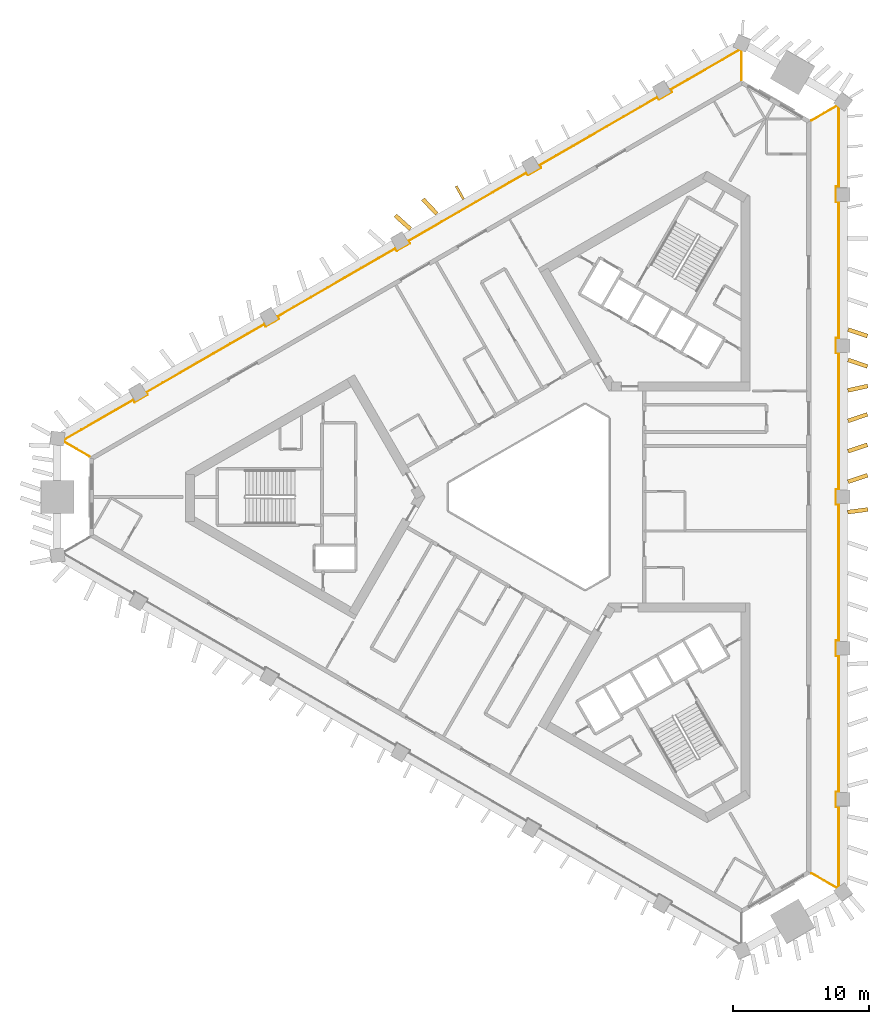
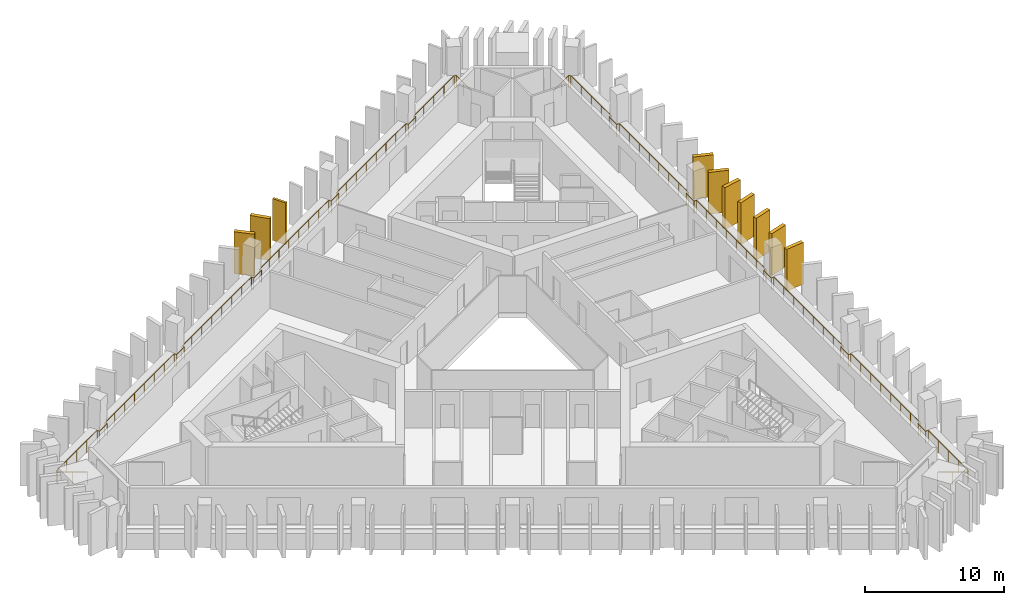
# One storey, part 10 of 11: 10 shading devices, 2 railings.
"""IFC4 building model written with IfcOpenShell, lengths in metres."""

from ifc_helpers import new_model, si_unit, direction, frame, frame_2d, origin, origin_2d, place, context, subcontext, project, spatial, rectangle, circle, extrude, material, layer, layer_set, type_object, element, save


model = new_model("IFC4")

# Units and contexts
model_context = context("Model", 3, precision=1e-05, world=origin(), true_north=direction((0.0, 1.0)))
body_context = subcontext(model_context, "Body", "Model", "MODEL_VIEW")
ifc_project = project(units=[si_unit("LENGTHUNIT", "METRE"), si_unit("AREAUNIT", "SQUARE_METRE"), si_unit("VOLUMEUNIT", "CUBIC_METRE"), si_unit("PLANEANGLEUNIT", "RADIAN"), si_unit("MASSUNIT", "GRAM", prefix="KILO")], contexts=[model_context])

# Site, building, storey
site_placement = place(None, origin())
site = spatial("IfcSite", under=ifc_project, at=site_placement, CompositionType="ELEMENT")
building_placement = place(site_placement, origin())
building = spatial("IfcBuilding", under=site, at=building_placement, Name="Jabali Bay Hotel Tower and Convention Centre", CompositionType="ELEMENT")
storey_placement = place(building_placement, frame((0.0, 0.0, 143.800048828125)))
storey = spatial("IfcBuildingStorey", under=building, at=storey_placement, Name="L35", CompositionType="ELEMENT", Elevation=143.800048828125)

# Railings
ifc_material_1 = material(Name="Glass", Category="glass")
railing_type = type_object("IfcRailingType", Name="Loggia glass guard 1100", PredefinedType="BALUSTRADE", material=ifc_material_1)
railing_1_placement = place(storey_placement, frame((94.402587890625, 107.66748046875, 0.0)))
element("IfcRailing", 1, at=railing_1_placement, inside=storey, type_object=railing_type, Name="Loggia glass guard L35", PredefinedType="BALUSTRADE", context=body_context, shape_type="SweptSolid", body=[
    extrude(circle(Radius=0.02490234375, at=origin_2d()), frame((0.0, 0.0, 1.0751953125), z_axis=(0.866007213464, 0.500031505235, 0.0), x_axis=(-0.495753666391, 0.858598401702, 0.13052619222)), (0.0, 0.0, 1.0), 2.165283203125),
    extrude(circle(Radius=0.02490234375, at=origin_2d()), frame((1.875244140625, 1.082763671875, 1.0751953125), z_axis=(0.800939455023, -0.598745346025, 0.0), x_axis=(0.593622996588, 0.794087306954, 0.13052619222)), (0.0, 0.0, 1.0), 0.15576171875),
    extrude(circle(Radius=0.02490234375, at=origin_2d()), frame((2.0, 0.989501953125, 1.0751953125), z_axis=(0.0, -1.0, 0.0), x_axis=(0.991444861374, 0.0, 0.13052619222)), (0.0, 0.0, 1.0), 5.854248046875),
    extrude(circle(Radius=0.02490234375, at=origin_2d()), frame((2.0, -4.86474609375, 1.0751953125), z_axis=(-1.0, 0.0, 0.0), x_axis=(0.0, -0.991444861374, 0.13052619222)), (0.0, 0.0, 1.0), 0.2001953125),
    extrude(circle(Radius=0.02490234375, at=origin_2d()), frame((1.7998046875, -4.86474609375, 1.0751953125), z_axis=(0.0, -1.0, 0.0), x_axis=(0.991444861374, 0.0, 0.13052619222)), (0.0, 0.0, 1.0), 1.099853515625),
    extrude(circle(Radius=0.02490234375, at=origin_2d()), frame((1.7998046875, -5.964599609375, 1.0751953125), z_axis=(1.0, 0.0, 0.0), x_axis=(0.0, 0.991444861374, 0.13052619222)), (0.0, 0.0, 1.0), 0.2001953125),
    extrude(circle(Radius=0.02490234375, at=origin_2d()), frame((2.0, -5.964599609375, 1.0751953125), z_axis=(0.0, -1.0, 0.0), x_axis=(0.991444861374, 0.0, 0.13052619222)), (0.0, 0.0, 1.0), 10.0263671875),
    extrude(circle(Radius=0.02490234375, at=origin_2d()), frame((2.0, -15.990966796875, 1.0751953125), z_axis=(-1.0, 0.0, 0.0), x_axis=(0.0, -0.991444861374, 0.13052619222)), (0.0, 0.0, 1.0), 0.2001953125),
    extrude(circle(Radius=0.02490234375, at=origin_2d()), frame((1.7998046875, -15.990966796875, 1.0751953125), z_axis=(0.0, -1.0, 0.0), x_axis=(0.991444861374, 0.0, 0.13052619222)), (0.0, 0.0, 1.0), 1.10009765625),
    extrude(circle(Radius=0.02490234375, at=origin_2d()), frame((1.7998046875, -17.091064453125, 1.0751953125), z_axis=(1.0, 0.0, 0.0), x_axis=(0.0, 0.991444861374, 0.13052619222)), (0.0, 0.0, 1.0), 0.2001953125),
    extrude(circle(Radius=0.02490234375, at=origin_2d()), frame((2.0, -17.091064453125, 1.0751953125), z_axis=(0.0, -1.0, 0.0), x_axis=(0.991444861374, 0.0, 0.13052619222)), (0.0, 0.0, 1.0), 10.0263671875),
    extrude(circle(Radius=0.02490234375, at=origin_2d()), frame((2.0, -27.117431640625, 1.0751953125), z_axis=(-1.0, 0.0, 0.0), x_axis=(0.0, -0.991444861374, 0.13052619222)), (0.0, 0.0, 1.0), 0.2001953125),
    extrude(circle(Radius=0.02490234375, at=origin_2d()), frame((1.7998046875, -27.117431640625, 1.0751953125), z_axis=(0.0, -1.0, 0.0), x_axis=(0.991444861374, 0.0, 0.13052619222)), (0.0, 0.0, 1.0), 1.10009765625),
    extrude(circle(Radius=0.02490234375, at=origin_2d()), frame((1.7998046875, -28.217529296875, 1.0751953125), z_axis=(1.0, 0.0, 0.0), x_axis=(0.0, 0.991444861374, 0.13052619222)), (0.0, 0.0, 1.0), 0.2001953125),
    extrude(circle(Radius=0.02490234375, at=origin_2d()), frame((2.0, -28.217529296875, 1.0751953125), z_axis=(0.0, -1.0, 0.0), x_axis=(0.991444861374, 0.0, 0.13052619222)), (0.0, 0.0, 1.0), 10.0263671875),
    extrude(circle(Radius=0.02490234375, at=origin_2d()), frame((2.0, -38.243896484375, 1.0751953125), z_axis=(-1.0, 0.0, 0.0), x_axis=(0.0, -0.991444861374, 0.13052619222)), (0.0, 0.0, 1.0), 0.2001953125),
    extrude(circle(Radius=0.02490234375, at=origin_2d()), frame((1.7998046875, -38.243896484375, 1.0751953125), z_axis=(0.0, -1.0, 0.0), x_axis=(0.991444861374, 0.0, 0.13052619222)), (0.0, 0.0, 1.0), 1.10009765625),
    extrude(circle(Radius=0.02490234375, at=origin_2d()), frame((1.7998046875, -39.343994140625, 1.0751953125), z_axis=(1.0, 0.0, 0.0), x_axis=(0.0, 0.991444861374, 0.13052619222)), (0.0, 0.0, 1.0), 0.2001953125),
    extrude(circle(Radius=0.02490234375, at=origin_2d()), frame((2.0, -39.343994140625, 1.0751953125), z_axis=(0.0, -1.0, 0.0), x_axis=(0.991444861374, 0.0, 0.13052619222)), (0.0, 0.0, 1.0), 10.0263671875),
    extrude(circle(Radius=0.02490234375, at=origin_2d()), frame((2.0, -49.370361328125, 1.0751953125), z_axis=(-1.0, 0.0, 0.0), x_axis=(0.0, -0.991444861374, 0.13052619222)), (0.0, 0.0, 1.0), 0.2001953125),
    extrude(circle(Radius=0.02490234375, at=origin_2d()), frame((1.7998046875, -49.370361328125, 1.0751953125), z_axis=(0.0, -1.0, 0.0), x_axis=(0.991444861374, 0.0, 0.13052619222)), (0.0, 0.0, 1.0), 1.099853515625),
    extrude(circle(Radius=0.02490234375, at=origin_2d()), frame((1.7998046875, -50.47021484375, 1.0751953125), z_axis=(1.0, 0.0, 0.0), x_axis=(0.0, 0.991444861374, 0.13052619222)), (0.0, 0.0, 1.0), 0.2001953125),
    extrude(circle(Radius=0.02490234375, at=origin_2d()), frame((2.0, -50.47021484375, 1.0751953125), z_axis=(0.0, -1.0, 0.0), x_axis=(0.991444861374, 0.0, 0.13052619222)), (0.0, 0.0, 1.0), 5.854248046875),
    extrude(circle(Radius=0.02490234375, at=origin_2d()), frame((2.0, -56.324462890625, 1.0751953125), z_axis=(-0.800939455023, -0.598745346025, 0.0), x_axis=(0.593622996588, -0.794087306954, 0.13052619222)), (0.0, 0.0, 1.0), 0.15576171875),
    extrude(circle(Radius=0.02490234375, at=origin_2d()), frame((1.875244140625, -56.417724609375, 1.0751953125), z_axis=(-0.866007213464, 0.500031505235, 0.0), x_axis=(-0.495753666391, -0.858598401702, 0.13052619222)), (0.0, 0.0, 1.0), 2.165283203125),
    extrude(circle(Radius=0.02001953125, at=origin_2d()), origin(), (0.0, 0.0, 1.0), 1.050048828125),
    extrude(circle(Radius=0.02001953125, at=origin_2d()), frame((0.9375, 0.54150390625, 0.0)), (0.0, 0.0, 1.0), 1.050048828125),
    extrude(circle(Radius=0.02001953125, at=origin_2d()), frame((1.875244140625, 1.082763671875, 0.0)), (0.0, 0.0, 1.0), 1.050048828125),
    extrude(circle(Radius=0.02001953125, at=origin_2d()), frame((2.0, 0.989501953125, 0.0)), (0.0, 0.0, 1.0), 1.050048828125),
    extrude(circle(Radius=0.02001953125, at=origin_2d()), frame((2.0, -0.47412109375, 0.0)), (0.0, 0.0, 1.0), 1.050048828125),
    extrude(circle(Radius=0.02001953125, at=origin_2d()), frame((2.0, -1.9375, 0.0)), (0.0, 0.0, 1.0), 1.050048828125),
    extrude(circle(Radius=0.02001953125, at=origin_2d()), frame((2.0, -3.401123046875, 0.0)), (0.0, 0.0, 1.0), 1.050048828125),
    extrude(circle(Radius=0.02001953125, at=origin_2d()), frame((2.0, -4.86474609375, 0.0)), (0.0, 0.0, 1.0), 1.050048828125),
    extrude(circle(Radius=0.02001953125, at=origin_2d()), frame((1.7998046875, -4.86474609375, 0.0)), (0.0, 0.0, 1.0), 1.050048828125),
    extrude(circle(Radius=0.02001953125, at=origin_2d()), frame((1.7998046875, -5.964599609375, 0.0)), (0.0, 0.0, 1.0), 1.050048828125),
    extrude(circle(Radius=0.02001953125, at=origin_2d()), frame((2.0, -5.964599609375, 0.0)), (0.0, 0.0, 1.0), 1.050048828125),
    extrude(circle(Radius=0.02001953125, at=origin_2d()), frame((2.0, -7.39697265625, 0.0)), (0.0, 0.0, 1.0), 1.050048828125),
    extrude(circle(Radius=0.02001953125, at=origin_2d()), frame((2.0, -8.829345703125, 0.0)), (0.0, 0.0, 1.0), 1.050048828125),
    extrude(circle(Radius=0.02001953125, at=origin_2d()), frame((2.0, -10.26171875, 0.0)), (0.0, 0.0, 1.0), 1.050048828125),
    extrude(circle(Radius=0.02001953125, at=origin_2d()), frame((2.0, -11.69384765625, 0.0)), (0.0, 0.0, 1.0), 1.050048828125),
    extrude(circle(Radius=0.02001953125, at=origin_2d()), frame((2.0, -13.126220703125, 0.0)), (0.0, 0.0, 1.0), 1.050048828125),
    extrude(circle(Radius=0.02001953125, at=origin_2d()), frame((2.0, -14.55859375, 0.0)), (0.0, 0.0, 1.0), 1.050048828125),
    extrude(circle(Radius=0.02001953125, at=origin_2d()), frame((2.0, -15.990966796875, 0.0)), (0.0, 0.0, 1.0), 1.050048828125),
    extrude(circle(Radius=0.02001953125, at=origin_2d()), frame((1.7998046875, -15.990966796875, 0.0)), (0.0, 0.0, 1.0), 1.050048828125),
    extrude(circle(Radius=0.02001953125, at=origin_2d()), frame((1.7998046875, -17.091064453125, 0.0)), (0.0, 0.0, 1.0), 1.050048828125),
    extrude(circle(Radius=0.02001953125, at=origin_2d()), frame((2.0, -17.091064453125, 0.0)), (0.0, 0.0, 1.0), 1.050048828125),
    extrude(circle(Radius=0.02001953125, at=origin_2d()), frame((2.0, -18.5234375, 0.0)), (0.0, 0.0, 1.0), 1.050048828125),
    extrude(circle(Radius=0.02001953125, at=origin_2d()), frame((2.0, -19.955810546875, 0.0)), (0.0, 0.0, 1.0), 1.050048828125),
    extrude(circle(Radius=0.02001953125, at=origin_2d()), frame((2.0, -21.38818359375, 0.0)), (0.0, 0.0, 1.0), 1.050048828125),
    extrude(circle(Radius=0.02001953125, at=origin_2d()), frame((2.0, -22.8203125, 0.0)), (0.0, 0.0, 1.0), 1.050048828125),
    extrude(circle(Radius=0.02001953125, at=origin_2d()), frame((2.0, -24.252685546875, 0.0)), (0.0, 0.0, 1.0), 1.050048828125),
    extrude(circle(Radius=0.02001953125, at=origin_2d()), frame((2.0, -25.68505859375, 0.0)), (0.0, 0.0, 1.0), 1.050048828125),
    extrude(circle(Radius=0.02001953125, at=origin_2d()), frame((2.0, -27.117431640625, 0.0)), (0.0, 0.0, 1.0), 1.050048828125),
    extrude(circle(Radius=0.02001953125, at=origin_2d()), frame((1.7998046875, -27.117431640625, 0.0)), (0.0, 0.0, 1.0), 1.050048828125),
    extrude(circle(Radius=0.02001953125, at=origin_2d()), frame((1.7998046875, -28.217529296875, 0.0)), (0.0, 0.0, 1.0), 1.050048828125),
    extrude(circle(Radius=0.02001953125, at=origin_2d()), frame((2.0, -28.217529296875, 0.0)), (0.0, 0.0, 1.0), 1.050048828125),
    extrude(circle(Radius=0.02001953125, at=origin_2d()), frame((2.0, -29.64990234375, 0.0)), (0.0, 0.0, 1.0), 1.050048828125),
    extrude(circle(Radius=0.02001953125, at=origin_2d()), frame((2.0, -31.082275390625, 0.0)), (0.0, 0.0, 1.0), 1.050048828125),
    extrude(circle(Radius=0.02001953125, at=origin_2d()), frame((2.0, -32.5146484375, 0.0)), (0.0, 0.0, 1.0), 1.050048828125),
    extrude(circle(Radius=0.02001953125, at=origin_2d()), frame((2.0, -33.94677734375, 0.0)), (0.0, 0.0, 1.0), 1.050048828125),
    extrude(circle(Radius=0.02001953125, at=origin_2d()), frame((2.0, -35.379150390625, 0.0)), (0.0, 0.0, 1.0), 1.050048828125),
    extrude(circle(Radius=0.02001953125, at=origin_2d()), frame((2.0, -36.8115234375, 0.0)), (0.0, 0.0, 1.0), 1.050048828125),
    extrude(circle(Radius=0.02001953125, at=origin_2d()), frame((2.0, -38.243896484375, 0.0)), (0.0, 0.0, 1.0), 1.050048828125),
    extrude(circle(Radius=0.02001953125, at=origin_2d()), frame((1.7998046875, -38.243896484375, 0.0)), (0.0, 0.0, 1.0), 1.050048828125),
    extrude(circle(Radius=0.02001953125, at=origin_2d()), frame((1.7998046875, -39.343994140625, 0.0)), (0.0, 0.0, 1.0), 1.050048828125),
    extrude(circle(Radius=0.02001953125, at=origin_2d()), frame((2.0, -39.343994140625, 0.0)), (0.0, 0.0, 1.0), 1.050048828125),
    extrude(circle(Radius=0.02001953125, at=origin_2d()), frame((2.0, -40.7763671875, 0.0)), (0.0, 0.0, 1.0), 1.050048828125),
    extrude(circle(Radius=0.02001953125, at=origin_2d()), frame((2.0, -42.208740234375, 0.0)), (0.0, 0.0, 1.0), 1.050048828125),
    extrude(circle(Radius=0.02001953125, at=origin_2d()), frame((2.0, -43.64111328125, 0.0)), (0.0, 0.0, 1.0), 1.050048828125),
    extrude(circle(Radius=0.02001953125, at=origin_2d()), frame((2.0, -45.0732421875, 0.0)), (0.0, 0.0, 1.0), 1.050048828125),
    extrude(circle(Radius=0.02001953125, at=origin_2d()), frame((2.0, -46.505615234375, 0.0)), (0.0, 0.0, 1.0), 1.050048828125),
    extrude(circle(Radius=0.02001953125, at=origin_2d()), frame((2.0, -47.93798828125, 0.0)), (0.0, 0.0, 1.0), 1.050048828125),
    extrude(circle(Radius=0.02001953125, at=origin_2d()), frame((2.0, -49.370361328125, 0.0)), (0.0, 0.0, 1.0), 1.050048828125),
    extrude(circle(Radius=0.02001953125, at=origin_2d()), frame((1.7998046875, -49.370361328125, 0.0)), (0.0, 0.0, 1.0), 1.050048828125),
    extrude(circle(Radius=0.02001953125, at=origin_2d()), frame((1.7998046875, -50.47021484375, 0.0)), (0.0, 0.0, 1.0), 1.050048828125),
    extrude(circle(Radius=0.02001953125, at=origin_2d()), frame((2.0, -50.47021484375, 0.0)), (0.0, 0.0, 1.0), 1.050048828125),
    extrude(circle(Radius=0.02001953125, at=origin_2d()), frame((2.0, -51.933837890625, 0.0)), (0.0, 0.0, 1.0), 1.050048828125),
    extrude(circle(Radius=0.02001953125, at=origin_2d()), frame((2.0, -53.3974609375, 0.0)), (0.0, 0.0, 1.0), 1.050048828125),
    extrude(circle(Radius=0.02001953125, at=origin_2d()), frame((2.0, -54.86083984375, 0.0)), (0.0, 0.0, 1.0), 1.050048828125),
    extrude(circle(Radius=0.02001953125, at=origin_2d()), frame((2.0, -56.324462890625, 0.0)), (0.0, 0.0, 1.0), 1.050048828125),
    extrude(circle(Radius=0.02001953125, at=origin_2d()), frame((1.875244140625, -56.417724609375, 0.0)), (0.0, 0.0, 1.0), 1.050048828125),
    extrude(circle(Radius=0.02001953125, at=origin_2d()), frame((0.9375, -55.87646484375, 0.0)), (0.0, 0.0, 1.0), 1.050048828125),
    extrude(circle(Radius=0.02001953125, at=origin_2d()), frame((0.0, -55.3349609375, 0.0)), (0.0, 0.0, 1.0), 1.050048828125),
])
railing_2_placement = place(storey_placement, frame((41.337890625, 82.96923828125, 0.0)))
element("IfcRailing", 2, at=railing_2_placement, inside=storey, type_object=railing_type, Name="Loggia glass guard L35", PredefinedType="BALUSTRADE", context=body_context, shape_type="SweptSolid", body=[
    extrude(circle(Radius=0.02490234375, at=origin_2d()), frame((0.0, 0.0, 1.0751953125), z_axis=(-0.866007213464, 0.500031505235, 0.0), x_axis=(-0.495753666391, -0.858598401702, 0.13052619222)), (0.0, 0.0, 1.0), 2.165283203125),
    extrude(circle(Radius=0.02490234375, at=origin_2d()), frame((-1.875244140625, 1.082763671875, 1.0751953125), z_axis=(0.117660413428, 0.993053889329, 0.0), x_axis=(-0.984558175643, 0.11665381228, 0.13052619222)), (0.0, 0.0, 1.0), 0.155517578125),
    extrude(circle(Radius=0.02490234375, at=origin_2d()), frame((-1.85693359375, 1.2373046875, 1.0751953125), z_axis=(0.866022388905, 0.500005221889, 0.0), x_axis=(-0.495727607902, 0.858613447314, 0.13052619222)), (0.0, 0.0, 1.0), 5.8544921875),
    extrude(circle(Radius=0.02490234375, at=origin_2d()), frame((3.213134765625, 4.16455078125, 1.0751953125), z_axis=(0.499158860599, -0.866510491504, 0.0), x_axis=(0.859097374128, 0.49488848735, 0.13052619222)), (0.0, 0.0, 1.0), 0.199951171875),
    extrude(circle(Radius=0.02490234375, at=origin_2d()), frame((3.31298828125, 3.9912109375, 1.0751953125), z_axis=(0.866008176907, 0.50002983664, 0.0), x_axis=(-0.495752012071, 0.858599356902, 0.13052619222)), (0.0, 0.0, 1.0), 1.10009765625),
    extrude(circle(Radius=0.02490234375, at=origin_2d()), frame((4.265625, 4.541259765625, 1.0751953125), z_axis=(-0.499687197852, 0.866205924883, 0.0), x_axis=(-0.858795413117, -0.495412304605, 0.13052619222)), (0.0, 0.0, 1.0), 0.199951171875),
    extrude(circle(Radius=0.02490234375, at=origin_2d()), frame((4.165771484375, 4.71435546875, 1.0751953125), z_axis=(0.866015278261, 0.50001753751, 0.0), x_axis=(-0.495739818162, 0.858606397503, 0.13052619222)), (0.0, 0.0, 1.0), 10.026611328125),
    extrude(circle(Radius=0.02490234375, at=origin_2d()), frame((12.848876953125, 9.727783203125, 1.0751953125), z_axis=(0.499158860599, -0.866510491504, 0.0), x_axis=(0.859097374128, 0.49488848735, 0.13052619222)), (0.0, 0.0, 1.0), 0.199951171875),
    extrude(circle(Radius=0.02490234375, at=origin_2d()), frame((12.94873046875, 9.554443359375, 1.0751953125), z_axis=(0.866008176907, 0.50002983664, 0.0), x_axis=(-0.495752012071, 0.858599356902, 0.13052619222)), (0.0, 0.0, 1.0), 1.10009765625),
    extrude(circle(Radius=0.02490234375, at=origin_2d()), frame((13.9013671875, 10.1044921875, 1.0751953125), z_axis=(-0.499687197852, 0.866205924883, 0.0), x_axis=(-0.858795413117, -0.495412304605, 0.13052619222)), (0.0, 0.0, 1.0), 0.199951171875),
    extrude(circle(Radius=0.02490234375, at=origin_2d()), frame((13.801513671875, 10.277587890625, 1.0751953125), z_axis=(0.866025822098, 0.499999275459, 0.0), x_axis=(-0.495721712344, 0.858616851136, 0.13052619222)), (0.0, 0.0, 1.0), 10.0263671875),
    extrude(circle(Radius=0.02490234375, at=origin_2d()), frame((22.484619140625, 15.290771484375, 1.0751953125), z_axis=(0.499687197852, -0.866205924883, 0.0), x_axis=(0.858795413117, 0.495412304605, 0.13052619222)), (0.0, 0.0, 1.0), 0.199951171875),
    extrude(circle(Radius=0.02490234375, at=origin_2d()), frame((22.58447265625, 15.11767578125, 1.0751953125), z_axis=(0.866008176907, 0.50002983664, 0.0), x_axis=(-0.495752012071, 0.858599356902, 0.13052619222)), (0.0, 0.0, 1.0), 1.10009765625),
    extrude(circle(Radius=0.02490234375, at=origin_2d()), frame((23.537109375, 15.667724609375, 1.0751953125), z_axis=(-0.499687197852, 0.866205924883, 0.0), x_axis=(-0.858795413117, -0.495412304605, 0.13052619222)), (0.0, 0.0, 1.0), 0.199951171875),
    extrude(circle(Radius=0.02490234375, at=origin_2d()), frame((23.437255859375, 15.8408203125, 1.0751953125), z_axis=(0.866025822098, 0.499999275459, 0.0), x_axis=(-0.495721712344, 0.858616851136, 0.13052619222)), (0.0, 0.0, 1.0), 10.0263671875),
    extrude(circle(Radius=0.02490234375, at=origin_2d()), frame((32.120361328125, 20.85400390625, 1.0751953125), z_axis=(0.499687197852, -0.866205924883, 0.0), x_axis=(0.858795413117, 0.495412304605, 0.13052619222)), (0.0, 0.0, 1.0), 0.199951171875),
    extrude(circle(Radius=0.02490234375, at=origin_2d()), frame((32.22021484375, 20.680908203125, 1.0751953125), z_axis=(0.866008176907, 0.50002983664, 0.0), x_axis=(-0.495752012071, 0.858599356902, 0.13052619222)), (0.0, 0.0, 1.0), 1.10009765625),
    extrude(circle(Radius=0.02490234375, at=origin_2d()), frame((33.1728515625, 21.23095703125, 1.0751953125), z_axis=(-0.499687197852, 0.866205924883, 0.0), x_axis=(-0.858795413117, -0.495412304605, 0.13052619222)), (0.0, 0.0, 1.0), 0.199951171875),
    extrude(circle(Radius=0.02490234375, at=origin_2d()), frame((33.072998046875, 21.404052734375, 1.0751953125), z_axis=(0.866025822098, 0.499999275459, 0.0), x_axis=(-0.495721712344, 0.858616851136, 0.13052619222)), (0.0, 0.0, 1.0), 10.0263671875),
    extrude(circle(Radius=0.02490234375, at=origin_2d()), frame((41.756103515625, 26.417236328125, 1.0751953125), z_axis=(0.499687197852, -0.866205924883, 0.0), x_axis=(0.858795413117, 0.495412304605, 0.13052619222)), (0.0, 0.0, 1.0), 0.199951171875),
    extrude(circle(Radius=0.02490234375, at=origin_2d()), frame((41.85595703125, 26.244140625, 1.0751953125), z_axis=(0.866008176907, 0.50002983664, 0.0), x_axis=(-0.495752012071, 0.858599356902, 0.13052619222)), (0.0, 0.0, 1.0), 1.10009765625),
    extrude(circle(Radius=0.02490234375, at=origin_2d()), frame((42.80859375, 26.794189453125, 1.0751953125), z_axis=(-0.499687197852, 0.866205924883, 0.0), x_axis=(-0.858795413117, -0.495412304605, 0.13052619222)), (0.0, 0.0, 1.0), 0.199951171875),
    extrude(circle(Radius=0.02490234375, at=origin_2d()), frame((42.708740234375, 26.96728515625, 1.0751953125), z_axis=(0.866030021115, 0.499992002463, 0.0), x_axis=(-0.49571450157, 0.85862101423, 0.13052619222)), (0.0, 0.0, 1.0), 5.85400390625),
    extrude(circle(Radius=0.02490234375, at=origin_2d()), frame((47.778564453125, 29.894287109375, 1.0751953125), z_axis=(0.919226147347, -0.393729970962, 0.0), x_axis=(0.39036155648, 0.911362040227, 0.13052619222)), (0.0, 0.0, 1.0), 0.155517578125),
    extrude(circle(Radius=0.02490234375, at=origin_2d()), frame((47.921630859375, 29.8330078125, 1.0751953125), z_axis=(0.0, -1.0, 0.0), x_axis=(0.991444861374, 0.0, 0.13052619222)), (0.0, 0.0, 1.0), 2.16552734375),
    extrude(circle(Radius=0.02001953125, at=origin_2d()), origin(), (0.0, 0.0, 1.0), 1.050048828125),
    extrude(circle(Radius=0.02001953125, at=origin_2d()), frame((-0.9375, 0.54150390625, 0.0)), (0.0, 0.0, 1.0), 1.050048828125),
    extrude(circle(Radius=0.02001953125, at=origin_2d()), frame((-1.875244140625, 1.082763671875, 0.0)), (0.0, 0.0, 1.0), 1.050048828125),
    extrude(circle(Radius=0.02001953125, at=origin_2d()), frame((-1.85693359375, 1.2373046875, 0.0)), (0.0, 0.0, 1.0), 1.050048828125),
    extrude(circle(Radius=0.02001953125, at=origin_2d()), frame((-0.58935546875, 1.96923828125, 0.0)), (0.0, 0.0, 1.0), 1.050048828125),
    extrude(circle(Radius=0.02001953125, at=origin_2d()), frame((0.67822265625, 2.700927734375, 0.0)), (0.0, 0.0, 1.0), 1.050048828125),
    extrude(circle(Radius=0.02001953125, at=origin_2d()), frame((1.945556640625, 3.4326171875, 0.0)), (0.0, 0.0, 1.0), 1.050048828125),
    extrude(circle(Radius=0.02001953125, at=origin_2d()), frame((3.213134765625, 4.16455078125, 0.0)), (0.0, 0.0, 1.0), 1.050048828125),
    extrude(circle(Radius=0.02001953125, at=origin_2d()), frame((3.31298828125, 3.9912109375, 0.0)), (0.0, 0.0, 1.0), 1.050048828125),
    extrude(circle(Radius=0.02001953125, at=origin_2d()), frame((4.265625, 4.541259765625, 0.0)), (0.0, 0.0, 1.0), 1.050048828125),
    extrude(circle(Radius=0.02001953125, at=origin_2d()), frame((4.165771484375, 4.71435546875, 0.0)), (0.0, 0.0, 1.0), 1.050048828125),
    extrude(circle(Radius=0.02001953125, at=origin_2d()), frame((5.40625, 5.4306640625, 0.0)), (0.0, 0.0, 1.0), 1.050048828125),
    extrude(circle(Radius=0.02001953125, at=origin_2d()), frame((6.646728515625, 6.146728515625, 0.0)), (0.0, 0.0, 1.0), 1.050048828125),
    extrude(circle(Radius=0.02001953125, at=origin_2d()), frame((7.88720703125, 6.863037109375, 0.0)), (0.0, 0.0, 1.0), 1.050048828125),
    extrude(circle(Radius=0.02001953125, at=origin_2d()), frame((9.12744140625, 7.5791015625, 0.0)), (0.0, 0.0, 1.0), 1.050048828125),
    extrude(circle(Radius=0.02001953125, at=origin_2d()), frame((10.367919921875, 8.29541015625, 0.0)), (0.0, 0.0, 1.0), 1.050048828125),
    extrude(circle(Radius=0.02001953125, at=origin_2d()), frame((11.6083984375, 9.011474609375, 0.0)), (0.0, 0.0, 1.0), 1.050048828125),
    extrude(circle(Radius=0.02001953125, at=origin_2d()), frame((12.848876953125, 9.727783203125, 0.0)), (0.0, 0.0, 1.0), 1.050048828125),
    extrude(circle(Radius=0.02001953125, at=origin_2d()), frame((12.94873046875, 9.554443359375, 0.0)), (0.0, 0.0, 1.0), 1.050048828125),
    extrude(circle(Radius=0.02001953125, at=origin_2d()), frame((13.9013671875, 10.1044921875, 0.0)), (0.0, 0.0, 1.0), 1.050048828125),
    extrude(circle(Radius=0.02001953125, at=origin_2d()), frame((13.801513671875, 10.277587890625, 0.0)), (0.0, 0.0, 1.0), 1.050048828125),
    extrude(circle(Radius=0.02001953125, at=origin_2d()), frame((15.0419921875, 10.99365234375, 0.0)), (0.0, 0.0, 1.0), 1.050048828125),
    extrude(circle(Radius=0.02001953125, at=origin_2d()), frame((16.282470703125, 11.7099609375, 0.0)), (0.0, 0.0, 1.0), 1.050048828125),
    extrude(circle(Radius=0.02001953125, at=origin_2d()), frame((17.52294921875, 12.426025390625, 0.0)), (0.0, 0.0, 1.0), 1.050048828125),
    extrude(circle(Radius=0.02001953125, at=origin_2d()), frame((18.76318359375, 13.142333984375, 0.0)), (0.0, 0.0, 1.0), 1.050048828125),
    extrude(circle(Radius=0.02001953125, at=origin_2d()), frame((20.003662109375, 13.8583984375, 0.0)), (0.0, 0.0, 1.0), 1.050048828125),
    extrude(circle(Radius=0.02001953125, at=origin_2d()), frame((21.244140625, 14.57470703125, 0.0)), (0.0, 0.0, 1.0), 1.050048828125),
    extrude(circle(Radius=0.02001953125, at=origin_2d()), frame((22.484619140625, 15.290771484375, 0.0)), (0.0, 0.0, 1.0), 1.050048828125),
    extrude(circle(Radius=0.02001953125, at=origin_2d()), frame((22.58447265625, 15.11767578125, 0.0)), (0.0, 0.0, 1.0), 1.050048828125),
    extrude(circle(Radius=0.02001953125, at=origin_2d()), frame((23.537109375, 15.667724609375, 0.0)), (0.0, 0.0, 1.0), 1.050048828125),
    extrude(circle(Radius=0.02001953125, at=origin_2d()), frame((23.437255859375, 15.8408203125, 0.0)), (0.0, 0.0, 1.0), 1.050048828125),
    extrude(circle(Radius=0.02001953125, at=origin_2d()), frame((24.677734375, 16.556884765625, 0.0)), (0.0, 0.0, 1.0), 1.050048828125),
    extrude(circle(Radius=0.02001953125, at=origin_2d()), frame((25.918212890625, 17.273193359375, 0.0)), (0.0, 0.0, 1.0), 1.050048828125),
    extrude(circle(Radius=0.02001953125, at=origin_2d()), frame((27.15869140625, 17.9892578125, 0.0)), (0.0, 0.0, 1.0), 1.050048828125),
    extrude(circle(Radius=0.02001953125, at=origin_2d()), frame((28.39892578125, 18.70556640625, 0.0)), (0.0, 0.0, 1.0), 1.050048828125),
    extrude(circle(Radius=0.02001953125, at=origin_2d()), frame((29.639404296875, 19.421630859375, 0.0)), (0.0, 0.0, 1.0), 1.050048828125),
    extrude(circle(Radius=0.02001953125, at=origin_2d()), frame((30.8798828125, 20.137939453125, 0.0)), (0.0, 0.0, 1.0), 1.050048828125),
    extrude(circle(Radius=0.02001953125, at=origin_2d()), frame((32.120361328125, 20.85400390625, 0.0)), (0.0, 0.0, 1.0), 1.050048828125),
    extrude(circle(Radius=0.02001953125, at=origin_2d()), frame((32.22021484375, 20.680908203125, 0.0)), (0.0, 0.0, 1.0), 1.050048828125),
    extrude(circle(Radius=0.02001953125, at=origin_2d()), frame((33.1728515625, 21.23095703125, 0.0)), (0.0, 0.0, 1.0), 1.050048828125),
    extrude(circle(Radius=0.02001953125, at=origin_2d()), frame((33.072998046875, 21.404052734375, 0.0)), (0.0, 0.0, 1.0), 1.050048828125),
    extrude(circle(Radius=0.02001953125, at=origin_2d()), frame((34.3134765625, 22.1201171875, 0.0)), (0.0, 0.0, 1.0), 1.050048828125),
    extrude(circle(Radius=0.02001953125, at=origin_2d()), frame((35.553955078125, 22.83642578125, 0.0)), (0.0, 0.0, 1.0), 1.050048828125),
    extrude(circle(Radius=0.02001953125, at=origin_2d()), frame((36.79443359375, 23.552490234375, 0.0)), (0.0, 0.0, 1.0), 1.050048828125),
    extrude(circle(Radius=0.02001953125, at=origin_2d()), frame((38.03466796875, 24.268798828125, 0.0)), (0.0, 0.0, 1.0), 1.050048828125),
    extrude(circle(Radius=0.02001953125, at=origin_2d()), frame((39.275146484375, 24.98486328125, 0.0)), (0.0, 0.0, 1.0), 1.050048828125),
    extrude(circle(Radius=0.02001953125, at=origin_2d()), frame((40.515625, 25.701171875, 0.0)), (0.0, 0.0, 1.0), 1.050048828125),
    extrude(circle(Radius=0.02001953125, at=origin_2d()), frame((41.756103515625, 26.417236328125, 0.0)), (0.0, 0.0, 1.0), 1.050048828125),
    extrude(circle(Radius=0.02001953125, at=origin_2d()), frame((41.85595703125, 26.244140625, 0.0)), (0.0, 0.0, 1.0), 1.050048828125),
    extrude(circle(Radius=0.02001953125, at=origin_2d()), frame((42.80859375, 26.794189453125, 0.0)), (0.0, 0.0, 1.0), 1.050048828125),
    extrude(circle(Radius=0.02001953125, at=origin_2d()), frame((42.708740234375, 26.96728515625, 0.0)), (0.0, 0.0, 1.0), 1.050048828125),
    extrude(circle(Radius=0.02001953125, at=origin_2d()), frame((43.97607421875, 27.698974609375, 0.0)), (0.0, 0.0, 1.0), 1.050048828125),
    extrude(circle(Radius=0.02001953125, at=origin_2d()), frame((45.24365234375, 28.4306640625, 0.0)), (0.0, 0.0, 1.0), 1.050048828125),
    extrude(circle(Radius=0.02001953125, at=origin_2d()), frame((46.51123046875, 29.16259765625, 0.0)), (0.0, 0.0, 1.0), 1.050048828125),
    extrude(circle(Radius=0.02001953125, at=origin_2d()), frame((47.778564453125, 29.894287109375, 0.0)), (0.0, 0.0, 1.0), 1.050048828125),
    extrude(circle(Radius=0.02001953125, at=origin_2d()), frame((47.921630859375, 29.8330078125, 0.0)), (0.0, 0.0, 1.0), 1.050048828125),
    extrude(circle(Radius=0.02001953125, at=origin_2d()), frame((47.921630859375, 28.750244140625, 0.0)), (0.0, 0.0, 1.0), 1.050048828125),
    extrude(circle(Radius=0.02001953125, at=origin_2d()), frame((47.921630859375, 27.66748046875, 0.0)), (0.0, 0.0, 1.0), 1.050048828125),
])

# Shading devices
ifc_material_2 = material(Name="Precast concrete C60", Category="concrete")
ifc_layer_1 = layer(ifc_material_2, 0.179931640625)
ifc_layer_set_1 = layer_set([ifc_layer_1], Name="Precast concrete C60")
shading_device_type_1 = type_object("IfcShadingDeviceType", Name="Precast fin 3680 x 1100", PredefinedType="USERDEFINED", material=ifc_layer_set_1)
shading_device_1_placement = place(storey_placement, frame((68.8203125, 101.88916015625, 0.010009765625), z_axis=(0.0, 0.0, 1.0), x_axis=(-0.485586400409, 0.874188679713, 0.0)))
element("IfcShadingDevice", 3, at=shading_device_1_placement, inside=storey, type_object=shading_device_type_1, Name="Fin L35 044", ObjectType="FIN", PredefinedType="USERDEFINED", context=body_context, shape_type="SweptSolid", body=[
    extrude(rectangle(XDim=1.10009765625, YDim=0.179931640625, at=frame_2d((0.550048828125, 0.0))), origin(), (0.0, 0.0, 1.0), 3.679931640625),
])
ifc_layer_2 = layer(ifc_material_2, 0.300048828125)
ifc_layer_set_2 = layer_set([ifc_layer_2], Name="Precast concrete C60")
shading_device_type_2 = type_object("IfcShadingDeviceType", Name="Precast fin 3680 x 1500", PredefinedType="USERDEFINED", material=ifc_layer_set_2)
for number, where, z_axis, x_axis, name in (
    (4, (97.064453125, 78.88134765625, 0.010009765625), (0.0, 0.0, 1.0), (0.991379344388, 0.131022881667, 0.0), "Fin L35 012"),
    (5, (97.092529296875, 81.11865234375, 0.010009765625), (0.0, 0.0, 1.0), (0.948030279817, 0.318180119664, 0.0), "Fin L35 013"),
    (6, (97.092529296875, 83.355712890625, 0.010009765625), (0.0, 0.0, 1.0), (0.948030279817, 0.318180119664, 0.0), "Fin L35 014"),
    (7, (97.092529296875, 85.5927734375, 0.010009765625), (0.0, 0.0, 1.0), (0.948030279817, 0.318180119664, 0.0), "Fin L35 015"),
    (8, (97.0771484375, 87.829833984375, 0.010009765625), (0.0, 0.0, 1.0), (0.976610298466, 0.215017034046, 0.0), "Fin L35 016"),
    (9, (97.092529296875, 90.06689453125, 0.010009765625), (0.0, 0.0, 1.0), (0.948079364295, -0.318033833104, 0.0), "Fin L35 017"),
    (10, (97.092529296875, 92.303955078125, 0.010009765625), (0.0, 0.0, 1.0), (0.948242928536, -0.317545821073, 0.0), "Fin L35 018"),
):
    element("IfcShadingDevice", number, at=place(storey_placement, frame(where, z_axis=z_axis, x_axis=x_axis)), inside=storey, type_object=shading_device_type_2, Name=name, ObjectType="FIN", PredefinedType="USERDEFINED", context=body_context, shape_type="SweptSolid", body=[
        extrude(rectangle(XDim=1.5, YDim=0.300048828125, at=frame_2d((0.75, 0.0))), origin(), (0.0, 0.0, 1.0), 3.679931640625),
    ])
shading_device_2_placement = place(storey_placement, frame((66.866455078125, 100.799072265625, 0.010009765625), z_axis=(0.0, 0.0, 1.0), x_axis=(-0.685633699741, 0.7279467218, 0.0)))
element("IfcShadingDevice", 11, at=shading_device_2_placement, inside=storey, type_object=shading_device_type_2, Name="Fin L35 045", ObjectType="FIN", PredefinedType="USERDEFINED", context=body_context, shape_type="SweptSolid", body=[
    extrude(rectangle(XDim=1.500244140625, YDim=0.300048828125, at=frame_2d((0.75, 0.0))), origin(), (0.0, 0.0, 1.0), 3.679931640625),
])
shading_device_3_placement = place(storey_placement, frame((64.923095703125, 99.69091796875, 0.010009765625), z_axis=(0.0, 0.0, 1.0), x_axis=(-0.743164643271, 0.669108595814, 0.0)))
element("IfcShadingDevice", 12, at=shading_device_3_placement, inside=storey, type_object=shading_device_type_2, Name="Fin L35 046", ObjectType="FIN", PredefinedType="USERDEFINED", context=body_context, shape_type="SweptSolid", body=[
    extrude(rectangle(XDim=1.5, YDim=0.300048828125, at=frame_2d((0.75, 0.0))), origin(), (0.0, 0.0, 1.0), 3.679931640625),
])

save(model, "model.ifc")
